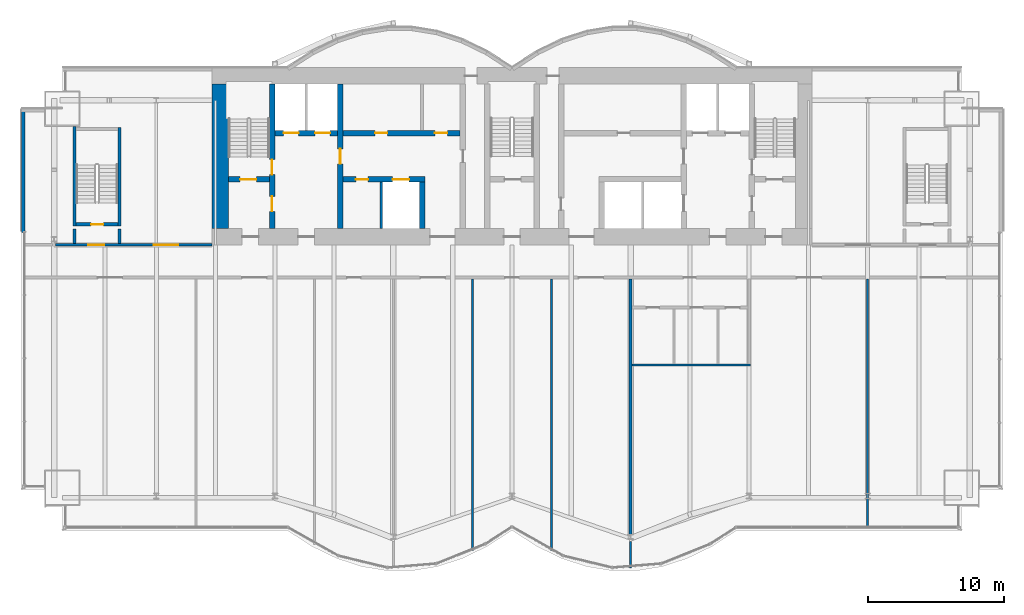
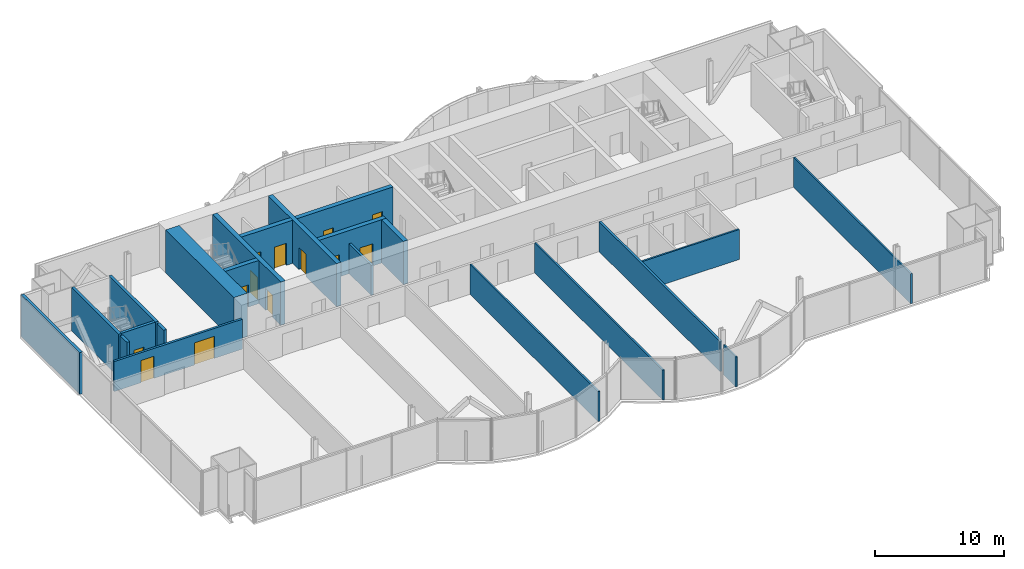
# One storey, part 14 of 20: 21 walls, 13 doors, 13 openings.
"""IFC4 building model written with IfcOpenShell, lengths in metres."""

from ifc_helpers import new_model, si_unit, direction, frame, frame_2d, origin, place, context, subcontext, project, spatial, rectangle, extrude, material, layer, layer_set, layer_usage, type_object, element, fill, save


model = new_model("IFC4")

# Units and contexts
model_context = context("Model", 3, precision=1e-05, world=origin(), true_north=direction((0.0, 1.0)))
body_context = subcontext(model_context, "Body", "Model", "MODEL_VIEW")
ifc_project = project(units=[si_unit("LENGTHUNIT", "METRE"), si_unit("AREAUNIT", "SQUARE_METRE"), si_unit("VOLUMEUNIT", "CUBIC_METRE"), si_unit("PLANEANGLEUNIT", "RADIAN"), si_unit("MASSUNIT", "GRAM", prefix="KILO")], contexts=[model_context])

# Site, building, storey
site_placement = place(None, origin())
site = spatial("IfcSite", under=ifc_project, at=site_placement, CompositionType="ELEMENT")
building_placement = place(site_placement, origin())
building = spatial("IfcBuilding", under=site, at=building_placement, Name="Bicima Exchange Tower", CompositionType="ELEMENT")
storey_placement = place(building_placement, frame((0.0, 0.0, 177.300048828125)))
storey = spatial("IfcBuildingStorey", under=building, at=storey_placement, Name="L39", CompositionType="ELEMENT", Elevation=177.300048828125)

# Wall
ifc_material_1 = material(Name="Gypsum board partition")
ifc_layer_1 = layer(ifc_material_1, 0.199951171875)
ifc_layer_set_1 = layer_set([ifc_layer_1], Name="Gypsum board partition")
wall_type_1 = type_object("IfcWallType", Name="Fire-rated gypsum partition 200 EI120", PredefinedType="PARTITIONING", material=ifc_layer_set_1)
wall_1_placement = place(storey_placement, frame((-9.60009765625, -11.800048828125, 0.0), z_axis=(0.0, 0.0, 1.0), x_axis=(0.0, 1.0, 0.0)))
element("IfcWall", 1, at=wall_1_placement, inside=storey, type_object=wall_type_1, Name="partition wall 11", PredefinedType="PARTITIONING", context=body_context, shape_type="SweptSolid", body=[
    extrude(rectangle(XDim=3.400146484375, YDim=0.199951171875, at=frame_2d((1.7001953125, 0.0))), origin(), (0.0, 0.0, 1.0), 2.84033203125),
])

# Wall, openings, doors
ifc_layer_2 = layer(ifc_material_1, 0.199951171875)
ifc_layer_set_2 = layer_set([ifc_layer_2], Name="Gypsum board partition")
wall_type_2 = type_object("IfcWallType", Name="Fire-rated gypsum partition 200 EI60", PredefinedType="PARTITIONING", material=ifc_layer_set_2)
wall_2_placement = place(storey_placement, frame((-33.47998046875, -13.0, 0.0), z_axis=(0.0, 0.0, 1.0), x_axis=(1.0, 0.0, 0.0)))
wall_2 = element("IfcWall", 2, at=wall_2_placement, inside=storey, type_object=wall_type_2, Name="partition wall 5", PredefinedType="PARTITIONING", context=body_context, shape_type="SweptSolid", body=[
    extrude(rectangle(XDim=11.47998046875, YDim=0.199951171875, at=frame_2d((5.739990234375, 0.0))), origin(), (0.0, 0.0, 1.0), 2.84033203125),
])
opening_1_placement = place(wall_2_placement, frame((2.3798828125, 0.0, 0.0)))
opening_1 = element("IfcOpeningElement", 3, at=opening_1_placement, cuts=wall_2, Name="Opening L39-001", PredefinedType="OPENING", context=body_context, shape_type="SweptSolid", body=[
    extrude(rectangle(XDim=1.199951171875, YDim=2.10009765625, at=frame_2d((0.60009765625, 1.050048828125))), frame((0.0, 0.11181640625, 0.0), z_axis=(0.0, -1.0, 0.0), x_axis=(1.0, 0.0, 0.0)), (0.0, 0.0, 1.0), 0.223876953125),
])
opening_2_placement = place(wall_2_placement, frame((7.179931640625, 0.0, 0.0)))
opening_2 = element("IfcOpeningElement", 4, at=opening_2_placement, cuts=wall_2, Name="Opening L39-005", PredefinedType="OPENING", context=body_context, shape_type="SweptSolid", body=[
    extrude(rectangle(XDim=1.800048828125, YDim=2.10009765625, at=frame_2d((0.89990234375, 1.050048828125))), frame((0.0, 0.11181640625, 0.0), z_axis=(0.0, -1.0, 0.0), x_axis=(1.0, 0.0, 0.0)), (0.0, 0.0, 1.0), 0.223876953125),
])
ifc_material_2 = material(Name="Steel fire door leaf", Category="steel")
door_type_1 = type_object("IfcDoorType", Name="Door 1200 swing FD30S", OperationType="SINGLE_SWING_LEFT", PredefinedType="DOOR", material=ifc_material_2)
door_1_placement = place(opening_1_placement, origin())
door_1 = element("IfcDoor", 5, at=door_1_placement, inside=storey, type_object=door_type_1, Name="Door", OperationType="SINGLE_SWING_LEFT", OverallHeight=2.10009765625, OverallWidth=1.199951171875, PredefinedType="DOOR", context=body_context, shape_type="SweptSolid", body=[
    extrude(rectangle(XDim=1.199951171875, YDim=2.10009765625, at=frame_2d((0.60009765625, 1.050048828125))), frame((0.0, 0.02490234375, 0.0), z_axis=(0.0, -1.0, 0.0), x_axis=(1.0, 0.0, 0.0)), (0.0, 0.0, 1.0), 0.050048828125),
])
fill(opening_1, door_1)
door_type_2 = type_object("IfcDoorType", Name="Door 1800 double swing FD30S", OperationType="DOUBLE_DOOR_SINGLE_SWING", PredefinedType="DOOR", material=ifc_material_2)
door_2_placement = place(opening_2_placement, origin())
door_2 = element("IfcDoor", 6, at=door_2_placement, inside=storey, type_object=door_type_2, Name="Door", OperationType="SINGLE_SWING_LEFT", OverallHeight=2.10009765625, OverallWidth=1.800048828125, PredefinedType="DOOR", context=body_context, shape_type="SweptSolid", body=[
    extrude(rectangle(XDim=1.800048828125, YDim=2.10009765625, at=frame_2d((0.89990234375, 1.050048828125))), frame((0.0, 0.02490234375, 0.0), z_axis=(0.0, -1.0, 0.0), x_axis=(1.0, 0.0, 0.0)), (0.0, 0.0, 1.0), 0.050048828125),
])
fill(opening_2, door_2)

# Walls
wall_3_placement = place(storey_placement, frame((8.699951171875, -34.295166015625, 0.0), z_axis=(0.0, 0.0, 1.0), x_axis=(0.0, 1.0, 0.0)))
element("IfcWall", 7, at=wall_3_placement, inside=storey, type_object=wall_type_2, Name="partition wall 22", PredefinedType="PARTITIONING", context=body_context, shape_type="SweptSolid", body=[
    extrude(rectangle(XDim=18.795166015625, YDim=0.199951171875, at=frame_2d((9.3974609375, 0.0))), origin(), (0.0, 0.0, 1.0), 2.84033203125),
])
ifc_layer_3 = layer(ifc_material_1, 0.14990234375)
ifc_layer_set_3 = layer_set([ifc_layer_3], Name="Gypsum board partition")
wall_type_3 = type_object("IfcWallType", Name="Gypsum partition 150", PredefinedType="PARTITIONING", material=ifc_layer_set_3)
wall_4_placement = place(storey_placement, frame((8.800048828125, -21.800048828125, 0.0), z_axis=(0.0, 0.0, 1.0), x_axis=(1.0, 0.0, 0.0)))
element("IfcWall", 8, at=wall_4_placement, inside=storey, type_object=wall_type_3, Name="partition wall 1", PredefinedType="PARTITIONING", context=body_context, shape_type="SweptSolid", body=[
    extrude(rectangle(XDim=8.699951171875, YDim=0.14990234375, at=frame_2d((4.35009765625, 0.0))), origin(), (0.0, 0.0, 1.0), 2.84033203125),
])
for number, where, z_axis, x_axis, name in (
    (9, (-2.89990234375, -35.419921875, 0.0), (0.0, 0.0, 1.0), (0.0, 1.0, 0.0), "partition wall 19"),
    (10, (2.89990234375, -35.419921875, 0.0), (0.0, 0.0, 1.0), (0.0, 1.0, 0.0), "partition wall 20"),
):
    element("IfcWall", number, at=place(storey_placement, frame(where, z_axis=z_axis, x_axis=x_axis)), inside=storey, type_object=wall_type_3, Name=name, PredefinedType="PARTITIONING", context=body_context, shape_type="SweptSolid", body=[
        extrude(rectangle(XDim=19.919921875, YDim=0.14990234375, at=frame_2d((9.9599609375, 0.0))), origin(), (0.0, 0.0, 1.0), 2.84033203125),
    ])
wall_5_placement = place(storey_placement, frame((8.699951171875, -36.699951171875, 0.0), z_axis=(0.0, 0.0, 1.0), x_axis=(0.0, 1.0, 0.0)))
element("IfcWall", 11, at=wall_5_placement, inside=storey, type_object=wall_type_3, Name="partition wall 21", PredefinedType="PARTITIONING", context=body_context, shape_type="SweptSolid", body=[
    extrude(rectangle(XDim=1.9169921875, YDim=0.14990234375, at=frame_2d((0.95849609375, 0.0))), origin(), (0.0, 0.0, 1.0), 2.84033203125),
])
wall_6_placement = place(storey_placement, frame((26.10009765625, -33.739990234375, 0.0), z_axis=(0.0, 0.0, 1.0), x_axis=(0.0, 1.0, 0.0)))
element("IfcWall", 12, at=wall_6_placement, inside=storey, type_object=wall_type_3, Name="partition wall 26", PredefinedType="PARTITIONING", context=body_context, shape_type="SweptSolid", body=[
    extrude(rectangle(XDim=18.239990234375, YDim=0.14990234375, at=frame_2d((9.1201171875, 0.0))), origin(), (0.0, 0.0, 1.0), 2.84033203125),
])
ifc_material_3 = material(Name="Concrete C50/60", Category="concrete")
ifc_layer_4 = layer(ifc_material_3, 1.199951171875)
ifc_layer_set_4 = layer_set([ifc_layer_4], Name="Concrete C50/60")
wall_type_4 = type_object("IfcWallType", Name="RC core wall 1200 C50/60", PredefinedType="SHEAR", material=ifc_layer_set_4)
wall_7_placement = place(storey_placement, frame((-21.39990234375, -11.800048828125, 0.0), z_axis=(0.0, 0.0, 1.0), x_axis=(0.0, 1.0, 0.0)))
element("IfcWall", 13, at=wall_7_placement, inside=storey, type_object=wall_type_4, Name="Core wall west", PredefinedType="SHEAR", context=body_context, shape_type="SweptSolid", body=[
    extrude(rectangle(XDim=10.60009765625, YDim=1.199951171875, at=frame_2d((5.300048828125, 0.0))), origin(), (0.0, 0.0, 1.0), 4.099853515625),
])
ifc_layer_5 = layer(ifc_material_3, 0.25)
ifc_layer_set_5 = layer_set([ifc_layer_5], Name="Concrete C50/60")
wall_type_5 = type_object("IfcWallType", Name="RC core wall 250 C50/60", PredefinedType="SHEAR", material=ifc_layer_set_5)
for number, where, z_axis, x_axis, name in (
    (14, (-32.10009765625, -12.89990234375, 0.0), (0.0, 0.0, 1.0), (0.0, 1.0, 0.0), "stair wall 12"),
    (15, (-28.800048828125, -12.89990234375, 0.0), (0.0, 0.0, 1.0), (0.0, 1.0, 0.0), "stair wall 13"),
):
    element("IfcWall", number, at=place(storey_placement, frame(where, z_axis=z_axis, x_axis=x_axis)), inside=storey, type_object=wall_type_5, Name=name, PredefinedType="SHEAR", context=body_context, shape_type="SweptSolid", body=[
        extrude(rectangle(XDim=1.0498046875, YDim=0.25, at=frame_2d((0.52490234375, 0.0))), origin(), (0.0, 0.0, 1.0), 4.099853515625),
    ])

# Wall, opening, door
ifc_layer_6 = layer(ifc_material_3, 0.39990234375)
ifc_layer_set_6 = layer_set([ifc_layer_6], Name="Concrete C50/60")
wall_type_6 = type_object("IfcWallType", Name="RC core wall 400 C50/60", PredefinedType="SHEAR", material=ifc_layer_set_6)
wall_8_placement = place(storey_placement, frame((-20.800048828125, -8.199951171875, 0.0), z_axis=(0.0, 0.0, 1.0), x_axis=(1.0, 0.0, 0.0)))
wall_8 = element("IfcWall", 16, at=wall_8_placement, inside=storey, type_object=wall_type_6, Name="stair wall 1", PredefinedType="SHEAR", context=body_context, shape_type="SweptSolid", body=[
    extrude(rectangle(XDim=3.0, YDim=0.39990234375, at=frame_2d((1.5, 0.0))), origin(), (0.0, 0.0, 1.0), 4.099853515625),
])
opening_3_placement = place(wall_8_placement, frame((0.85009765625, 0.0, 0.0)))
opening_3 = element("IfcOpeningElement", 17, at=opening_3_placement, cuts=wall_8, Name="Opening L39-C01", PredefinedType="OPENING", context=body_context, shape_type="SweptSolid", body=[
    extrude(rectangle(XDim=1.199951171875, YDim=2.10009765625, at=frame_2d((0.60009765625, 1.050048828125))), frame((0.0, 0.2119140625, 0.0), z_axis=(0.0, -1.0, 0.0), x_axis=(1.0, 0.0, 0.0)), (0.0, 0.0, 1.0), 0.423828125),
])
door_type_3 = type_object("IfcDoorType", Name="Door 1200 swing FD60S", OperationType="SINGLE_SWING_LEFT", PredefinedType="DOOR", material=ifc_material_2)
door_3_placement = place(opening_3_placement, origin())
door_3 = element("IfcDoor", 18, at=door_3_placement, inside=storey, type_object=door_type_3, Name="Core door", OperationType="SINGLE_SWING_LEFT", OverallHeight=2.10009765625, OverallWidth=1.199951171875, PredefinedType="DOOR", context=body_context, shape_type="SweptSolid", body=[
    extrude(rectangle(XDim=1.199951171875, YDim=2.10009765625, at=frame_2d((0.60009765625, 1.050048828125))), frame((0.0, 0.02490234375, 0.0), z_axis=(0.0, -1.0, 0.0), x_axis=(1.0, 0.0, 0.0)), (0.0, 0.0, 1.0), 0.050048828125),
])
fill(opening_3, door_3)

# Wall, openings, doors
wall_9_placement = place(storey_placement, frame((-12.39990234375, -8.199951171875, 0.0), z_axis=(0.0, 0.0, 1.0), x_axis=(1.0, 0.0, 0.0)))
wall_9 = element("IfcWall", 19, at=wall_9_placement, inside=storey, type_object=wall_type_6, Name="shear wall 2", PredefinedType="SHEAR", context=body_context, shape_type="SweptSolid", body=[
    extrude(rectangle(XDim=6.0, YDim=0.39990234375, at=frame_2d((3.0, 0.0))), origin(), (0.0, 0.0, 1.0), 4.099853515625),
])
opening_4_placement = place(wall_9_placement, frame((3.64990234375, 0.0, 0.0)))
opening_4 = element("IfcOpeningElement", 20, at=opening_4_placement, cuts=wall_9, Name="Opening LD-MB1-L39", PredefinedType="OPENING", context=body_context, shape_type="SweptSolid", body=[
    extrude(rectangle(XDim=1.199951171875, YDim=2.10009765625, at=frame_2d((0.60009765625, 1.050048828125))), frame((0.0, 0.2119140625, 0.0), z_axis=(0.0, -1.0, 0.0), x_axis=(1.0, 0.0, 0.0)), (0.0, 0.0, 1.0), 0.423828125),
])
opening_5_placement = place(wall_9_placement, frame((0.949951171875, 0.0, 0.0)))
opening_5 = element("IfcOpeningElement", 21, at=opening_5_placement, cuts=wall_9, Name="Opening L39-C15", PredefinedType="OPENING", context=body_context, shape_type="SweptSolid", body=[
    extrude(rectangle(XDim=0.89990234375, YDim=2.10009765625, at=frame_2d((0.449951171875, 1.050048828125))), frame((0.0, 0.2119140625, 0.0), z_axis=(0.0, -1.0, 0.0), x_axis=(1.0, 0.0, 0.0)), (0.0, 0.0, 1.0), 0.423828125),
])
door_type_4 = type_object("IfcDoorType", Name="Door 900 swing FD30S", OperationType="SINGLE_SWING_LEFT", PredefinedType="DOOR", material=ifc_material_2)
door_4_placement = place(opening_5_placement, frame((0.89990234375, 0.0, 0.0), z_axis=(0.0, 0.0, 1.0), x_axis=(-1.0, 0.0, 0.0)))
door_4 = element("IfcDoor", 22, at=door_4_placement, inside=storey, type_object=door_type_4, Name="Core door", OperationType="SINGLE_SWING_RIGHT", OverallHeight=2.10009765625, OverallWidth=0.89990234375, PredefinedType="DOOR", context=body_context, shape_type="SweptSolid", body=[
    extrude(rectangle(XDim=0.89990234375, YDim=2.10009765625, at=frame_2d((0.449951171875, 1.050048828125))), frame((0.0, 0.02490234375, 0.0), z_axis=(0.0, -1.0, 0.0), x_axis=(1.0, 0.0, 0.0)), (0.0, 0.0, 1.0), 0.050048828125),
])
fill(opening_5, door_4)
ifc_material_4 = material(Name="Stainless steel", Category="steel")
door_type_5 = type_object("IfcDoorType", Name="Lift landing door 1200 sliding", OperationType="DOUBLE_DOOR_SLIDING", PredefinedType="DOOR", material=ifc_material_4)
door_5_placement = place(opening_4_placement, origin())
door_5 = element("IfcDoor", 23, at=door_5_placement, inside=storey, type_object=door_type_5, Name="Lift landing door MB1", OperationType="DOUBLE_DOOR_SLIDING", OverallHeight=2.10009765625, OverallWidth=1.199951171875, PredefinedType="DOOR", context=body_context, shape_type="SweptSolid", body=[
    extrude(rectangle(XDim=1.199951171875, YDim=2.10009765625, at=frame_2d((0.60009765625, 1.050048828125))), frame((0.0, 0.02490234375, 0.0), z_axis=(0.0, -1.0, 0.0), x_axis=(1.0, 0.0, 0.0)), (0.0, 0.0, 1.0), 0.050048828125),
])
fill(opening_4, door_5)

wall_10_placement = place(storey_placement, frame((-17.39990234375, -4.800048828125, 0.0), z_axis=(0.0, 0.0, 1.0), x_axis=(1.0, 0.0, 0.0)))
wall_10 = element("IfcWall", 24, at=wall_10_placement, inside=storey, type_object=wall_type_6, Name="shear wall 6", PredefinedType="SHEAR", context=body_context, shape_type="SweptSolid", body=[
    extrude(rectangle(XDim=13.599853515625, YDim=0.39990234375, at=frame_2d((6.7998046875, 0.0))), origin(), (0.0, 0.0, 1.0), 4.099853515625),
])
opening_6_placement = place(wall_10_placement, frame((0.64990234375, 0.0, 0.0)))
opening_6 = element("IfcOpeningElement", 25, at=opening_6_placement, cuts=wall_10, Name="Opening LD-FF1-L39", PredefinedType="OPENING", context=body_context, shape_type="SweptSolid", body=[
    extrude(rectangle(XDim=1.10009765625, YDim=2.10009765625, at=frame_2d((0.550048828125, 1.050048828125))), frame((0.0, 0.2119140625, 0.0), z_axis=(0.0, -1.0, 0.0), x_axis=(1.0, 0.0, 0.0)), (0.0, 0.0, 1.0), 0.423828125),
])
opening_7_placement = place(wall_10_placement, frame((2.949951171875, 0.0, 0.0)))
opening_7 = element("IfcOpeningElement", 26, at=opening_7_placement, cuts=wall_10, Name="Opening LD-FF3-L39", PredefinedType="OPENING", context=body_context, shape_type="SweptSolid", body=[
    extrude(rectangle(XDim=1.10009765625, YDim=2.10009765625, at=frame_2d((0.550048828125, 1.050048828125))), frame((0.0, 0.2119140625, 0.0), z_axis=(0.0, -1.0, 0.0), x_axis=(1.0, 0.0, 0.0)), (0.0, 0.0, 1.0), 0.423828125),
])
opening_8_placement = place(wall_10_placement, frame((7.35009765625, 0.0, 0.0)))
opening_8 = element("IfcOpeningElement", 27, at=opening_8_placement, cuts=wall_10, Name="Opening L39-C12", PredefinedType="OPENING", context=body_context, shape_type="SweptSolid", body=[
    extrude(rectangle(XDim=0.89990234375, YDim=2.10009765625, at=frame_2d((0.449951171875, 1.050048828125))), frame((0.0, 0.2119140625, 0.0), z_axis=(0.0, -1.0, 0.0), x_axis=(1.0, 0.0, 0.0)), (0.0, 0.0, 1.0), 0.423828125),
])
opening_9_placement = place(wall_10_placement, frame((11.75, 0.0, 0.0)))
opening_9 = element("IfcOpeningElement", 28, at=opening_9_placement, cuts=wall_10, Name="Opening L39-C13", PredefinedType="OPENING", context=body_context, shape_type="SweptSolid", body=[
    extrude(rectangle(XDim=0.89990234375, YDim=2.10009765625, at=frame_2d((0.449951171875, 1.050048828125))), frame((0.0, 0.2119140625, 0.0), z_axis=(0.0, -1.0, 0.0), x_axis=(1.0, 0.0, 0.0)), (0.0, 0.0, 1.0), 0.423828125),
])
door_6_placement = place(opening_8_placement, origin())
door_6 = element("IfcDoor", 29, at=door_6_placement, inside=storey, type_object=door_type_4, Name="Core door", OperationType="SINGLE_SWING_RIGHT", OverallHeight=2.10009765625, OverallWidth=0.89990234375, PredefinedType="DOOR", context=body_context, shape_type="SweptSolid", body=[
    extrude(rectangle(XDim=0.89990234375, YDim=2.10009765625, at=frame_2d((0.449951171875, 1.050048828125))), frame((0.0, 0.02490234375, 0.0), z_axis=(0.0, -1.0, 0.0), x_axis=(1.0, 0.0, 0.0)), (0.0, 0.0, 1.0), 0.050048828125),
])
fill(opening_8, door_6)
door_7_placement = place(opening_9_placement, origin())
door_7 = element("IfcDoor", 30, at=door_7_placement, inside=storey, type_object=door_type_4, Name="Core door", OperationType="SINGLE_SWING_LEFT", OverallHeight=2.10009765625, OverallWidth=0.89990234375, PredefinedType="DOOR", context=body_context, shape_type="SweptSolid", body=[
    extrude(rectangle(XDim=0.89990234375, YDim=2.10009765625, at=frame_2d((0.449951171875, 1.050048828125))), frame((0.0, 0.02490234375, 0.0), z_axis=(0.0, -1.0, 0.0), x_axis=(1.0, 0.0, 0.0)), (0.0, 0.0, 1.0), 0.050048828125),
])
fill(opening_9, door_7)
door_type_6 = type_object("IfcDoorType", Name="Lift landing door 1100 sliding", OperationType="DOUBLE_DOOR_SLIDING", PredefinedType="DOOR", material=ifc_material_4)
door_8_placement = place(opening_6_placement, origin())
door_8 = element("IfcDoor", 31, at=door_8_placement, inside=storey, type_object=door_type_6, Name="Lift landing door FF1", OperationType="DOUBLE_DOOR_SLIDING", OverallHeight=2.10009765625, OverallWidth=1.10009765625, PredefinedType="DOOR", context=body_context, shape_type="SweptSolid", body=[
    extrude(rectangle(XDim=1.10009765625, YDim=2.10009765625, at=frame_2d((0.550048828125, 1.050048828125))), frame((0.0, 0.02490234375, 0.0), z_axis=(0.0, -1.0, 0.0), x_axis=(1.0, 0.0, 0.0)), (0.0, 0.0, 1.0), 0.050048828125),
])
fill(opening_6, door_8)
door_9_placement = place(opening_7_placement, origin())
door_9 = element("IfcDoor", 32, at=door_9_placement, inside=storey, type_object=door_type_6, Name="Lift landing door FF3", OperationType="DOUBLE_DOOR_SLIDING", OverallHeight=2.10009765625, OverallWidth=1.10009765625, PredefinedType="DOOR", context=body_context, shape_type="SweptSolid", body=[
    extrude(rectangle(XDim=1.10009765625, YDim=2.10009765625, at=frame_2d((0.550048828125, 1.050048828125))), frame((0.0, 0.02490234375, 0.0), z_axis=(0.0, -1.0, 0.0), x_axis=(1.0, 0.0, 0.0)), (0.0, 0.0, 1.0), 0.050048828125),
])
fill(opening_7, door_9)

wall_11_placement = place(storey_placement, frame((-17.60009765625, -11.800048828125, 0.0), z_axis=(0.0, 0.0, 1.0), x_axis=(0.0, 1.0, 0.0)))
wall_11 = element("IfcWall", 33, at=wall_11_placement, inside=storey, type_object=wall_type_6, Name="stair wall 8", PredefinedType="SHEAR", context=body_context, shape_type="SweptSolid", body=[
    extrude(rectangle(XDim=10.60009765625, YDim=0.39990234375, at=frame_2d((5.300048828125, 0.0))), origin(), (0.0, 0.0, 1.0), 4.099853515625),
])
opening_10_placement = place(wall_11_placement, frame((1.25, 0.0, 0.0)))
opening_10 = element("IfcOpeningElement", 34, at=opening_10_placement, cuts=wall_11, Name="Opening L39-C02", PredefinedType="OPENING", context=body_context, shape_type="SweptSolid", body=[
    extrude(rectangle(XDim=1.10009765625, YDim=2.10009765625, at=frame_2d((0.550048828125, 1.050048828125))), frame((0.0, 0.2119140625, 0.0), z_axis=(0.0, -1.0, 0.0), x_axis=(1.0, 0.0, 0.0)), (0.0, 0.0, 1.0), 0.423828125),
])
opening_11_placement = place(wall_11_placement, frame((3.949951171875, 0.0, 0.0)))
opening_11 = element("IfcOpeningElement", 35, at=opening_11_placement, cuts=wall_11, Name="Opening L39-C06", PredefinedType="OPENING", context=body_context, shape_type="SweptSolid", body=[
    extrude(rectangle(XDim=1.10009765625, YDim=2.10009765625, at=frame_2d((0.550048828125, 1.050048828125))), frame((0.0, 0.2119140625, 0.0), z_axis=(0.0, -1.0, 0.0), x_axis=(1.0, 0.0, 0.0)), (0.0, 0.0, 1.0), 0.423828125),
])
door_type_7 = type_object("IfcDoorType", Name="Door 1100 swing FD60S", OperationType="SINGLE_SWING_LEFT", PredefinedType="DOOR", material=ifc_material_2)
door_10_placement = place(opening_10_placement, frame((1.10009765625, 0.0, 0.0), z_axis=(0.0, 0.0, 1.0), x_axis=(-1.0, 0.0, 0.0)))
door_10 = element("IfcDoor", 36, at=door_10_placement, inside=storey, type_object=door_type_7, Name="Core door", OperationType="SINGLE_SWING_LEFT", OverallHeight=2.10009765625, OverallWidth=1.10009765625, PredefinedType="DOOR", context=body_context, shape_type="SweptSolid", body=[
    extrude(rectangle(XDim=1.10009765625, YDim=2.10009765625, at=frame_2d((0.550048828125, 1.050048828125))), frame((0.0, 0.02490234375, 0.0), z_axis=(0.0, -1.0, 0.0), x_axis=(1.0, 0.0, 0.0)), (0.0, 0.0, 1.0), 0.050048828125),
])
fill(opening_10, door_10)
door_11_placement = place(opening_11_placement, frame((1.10009765625, 0.0, 0.0), z_axis=(0.0, 0.0, 1.0), x_axis=(-1.0, 0.0, 0.0)))
door_11 = element("IfcDoor", 37, at=door_11_placement, inside=storey, type_object=door_type_7, Name="Core door", OperationType="SINGLE_SWING_LEFT", OverallHeight=2.10009765625, OverallWidth=1.10009765625, PredefinedType="DOOR", context=body_context, shape_type="SweptSolid", body=[
    extrude(rectangle(XDim=1.10009765625, YDim=2.10009765625, at=frame_2d((0.550048828125, 1.050048828125))), frame((0.0, 0.02490234375, 0.0), z_axis=(0.0, -1.0, 0.0), x_axis=(1.0, 0.0, 0.0)), (0.0, 0.0, 1.0), 0.050048828125),
])
fill(opening_11, door_11)

# Wall, opening, door
wall_12_placement = place(storey_placement, frame((-12.60009765625, -11.800048828125, 0.0), z_axis=(0.0, 0.0, 1.0), x_axis=(0.0, 1.0, 0.0)))
wall_12 = element("IfcWall", 38, at=wall_12_placement, inside=storey, type_object=wall_type_6, Name="shear wall 10", PredefinedType="SHEAR", context=body_context, shape_type="SweptSolid", body=[
    extrude(rectangle(XDim=10.60009765625, YDim=0.39990234375, at=frame_2d((5.300048828125, 0.0))), origin(), (0.0, 0.0, 1.0), 4.099853515625),
])
opening_12_placement = place(wall_12_placement, frame((4.75, 0.0, 0.0)))
opening_12 = element("IfcOpeningElement", 39, at=opening_12_placement, cuts=wall_12, Name="Opening L39-C07", PredefinedType="OPENING", context=body_context, shape_type="SweptSolid", body=[
    extrude(rectangle(XDim=1.10009765625, YDim=2.10009765625, at=frame_2d((0.550048828125, 1.050048828125))), frame((0.0, 0.2119140625, 0.0), z_axis=(0.0, -1.0, 0.0), x_axis=(1.0, 0.0, 0.0)), (0.0, 0.0, 1.0), 0.423828125),
])
door_12_placement = place(opening_12_placement, origin())
door_12 = element("IfcDoor", 40, at=door_12_placement, inside=storey, type_object=door_type_7, Name="Core door", OperationType="SINGLE_SWING_LEFT", OverallHeight=2.10009765625, OverallWidth=1.10009765625, PredefinedType="DOOR", context=body_context, shape_type="SweptSolid", body=[
    extrude(rectangle(XDim=1.10009765625, YDim=2.10009765625, at=frame_2d((0.550048828125, 1.050048828125))), frame((0.0, 0.02490234375, 0.0), z_axis=(0.0, -1.0, 0.0), x_axis=(1.0, 0.0, 0.0)), (0.0, 0.0, 1.0), 0.050048828125),
])
fill(opening_12, door_12)

# Walls
wall_13_placement = place(storey_placement, frame((-6.60009765625, -11.800048828125, 0.0), z_axis=(0.0, 0.0, 1.0), x_axis=(0.0, 1.0, 0.0)))
element("IfcWall", 41, at=wall_13_placement, inside=storey, type_object=wall_type_6, Name="shear wall 12", PredefinedType="SHEAR", context=body_context, shape_type="SweptSolid", body=[
    extrude(rectangle(XDim=3.400146484375, YDim=0.39990234375, at=frame_2d((1.7001953125, 0.0))), origin(), (0.0, 0.0, 1.0), 4.099853515625),
])
ifc_layer_7 = layer(ifc_material_3, 0.25)
ifc_layer_set_7 = layer_set([ifc_layer_7], Name="Concrete C50/60")
wall_type_7 = type_object("IfcWallType", Name="RC stair enclosure wall 250 C50/60", PredefinedType="SHEAR", material=ifc_layer_set_7)
wall_14_placement = place(storey_placement, frame((-32.10009765625, -11.625, 0.0), z_axis=(0.0, 0.0, 1.0), x_axis=(0.0, 1.0, 0.0)))
element("IfcWall", 42, at=wall_14_placement, inside=storey, type_object=wall_type_7, Name="West end exit stair wall W", PredefinedType="SHEAR", context=body_context, shape_type="SweptSolid", body=[
    extrude(rectangle(XDim=7.324951171875, YDim=0.25, at=frame_2d((3.66259765625, 0.0))), origin(), (0.0, 0.0, 1.0), 4.099853515625),
])
wall_15_placement = place(storey_placement, frame((-28.800048828125, -11.625, 0.0), z_axis=(0.0, 0.0, 1.0), x_axis=(0.0, 1.0, 0.0)))
element("IfcWall", 43, at=wall_15_placement, inside=storey, type_object=wall_type_7, Name="West end exit stair wall E", PredefinedType="SHEAR", context=body_context, shape_type="SweptSolid", body=[
    extrude(rectangle(XDim=7.25, YDim=0.25, at=frame_2d((3.625, 0.0))), origin(), (0.0, 0.0, 1.0), 4.099853515625),
])

# Wall, opening, door
wall_16_placement = place(storey_placement, frame((-31.97509765625, -11.5, 0.0), z_axis=(0.0, 0.0, 1.0), x_axis=(1.0, 0.0, 0.0)))
wall_16 = element("IfcWall", 44, at=wall_16_placement, inside=storey, type_object=wall_type_7, Name="West end exit stair wall S", PredefinedType="SHEAR", context=body_context, shape_type="SweptSolid", body=[
    extrude(rectangle(XDim=3.050048828125, YDim=0.25, at=frame_2d((1.52490234375, 0.0))), origin(), (0.0, 0.0, 1.0), 4.099853515625),
])
opening_13_placement = place(wall_16_placement, frame((1.10009765625, 0.0, 0.0)))
opening_13 = element("IfcOpeningElement", 45, at=opening_13_placement, cuts=wall_16, Name="Opening L39-002", PredefinedType="OPENING", context=body_context, shape_type="SweptSolid", body=[
    extrude(rectangle(XDim=0.89990234375, YDim=2.10009765625, at=frame_2d((0.449951171875, 1.050048828125))), frame((0.0, 0.136962890625, 0.0), z_axis=(0.0, -1.0, 0.0), x_axis=(1.0, 0.0, 0.0)), (0.0, 0.0, 1.0), 0.27392578125),
])
door_type_8 = type_object("IfcDoorType", Name="Door 900 swing FD60S", OperationType="SINGLE_SWING_LEFT", PredefinedType="DOOR", material=ifc_material_2)
door_13_placement = place(opening_13_placement, origin())
door_13 = element("IfcDoor", 46, at=door_13_placement, inside=storey, type_object=door_type_8, Name="Door", OperationType="SINGLE_SWING_LEFT", OverallHeight=2.10009765625, OverallWidth=0.89990234375, PredefinedType="DOOR", context=body_context, shape_type="SweptSolid", body=[
    extrude(rectangle(XDim=0.89990234375, YDim=2.10009765625, at=frame_2d((0.449951171875, 1.050048828125))), frame((0.0, 0.02490234375, 0.0), z_axis=(0.0, -1.0, 0.0), x_axis=(1.0, 0.0, 0.0)), (0.0, 0.0, 1.0), 0.050048828125),
])
fill(opening_13, door_13)

# Wall
ifc_material_5 = material(Name="Concrete C40/50", Category="concrete")
ifc_layer_8 = layer(ifc_material_5, 0.25)
ifc_layer_set_8 = layer_set([ifc_layer_8], Name="Concrete C40/50")
ifc_layer_usage = layer_usage(ifc_layer_set_8, "AXIS2", "POSITIVE", -0.125)
wall_type_8 = type_object("IfcWallType", Name="Rear backup wall 250", PredefinedType="STANDARD", material=ifc_layer_set_8)
wall_17_placement = place(storey_placement, frame((-35.875, -3.0, 0.0), z_axis=(0.0, 0.0, 1.0), x_axis=(0.0, -1.0, 0.0)))
element("IfcWall", 47, at=wall_17_placement, inside=storey, type_object=wall_type_8, material=ifc_layer_usage, Name="Rear backup wall L39 23", PredefinedType="STANDARD", context=body_context, shape_type="SweptSolid", body=[
    extrude(rectangle(XDim=9.090087890625, YDim=0.25, at=frame_2d((4.544921875, 0.0))), origin(), (0.0, 0.0, 1.0), 3.949951171875),
])

save(model, "model.ifc")
